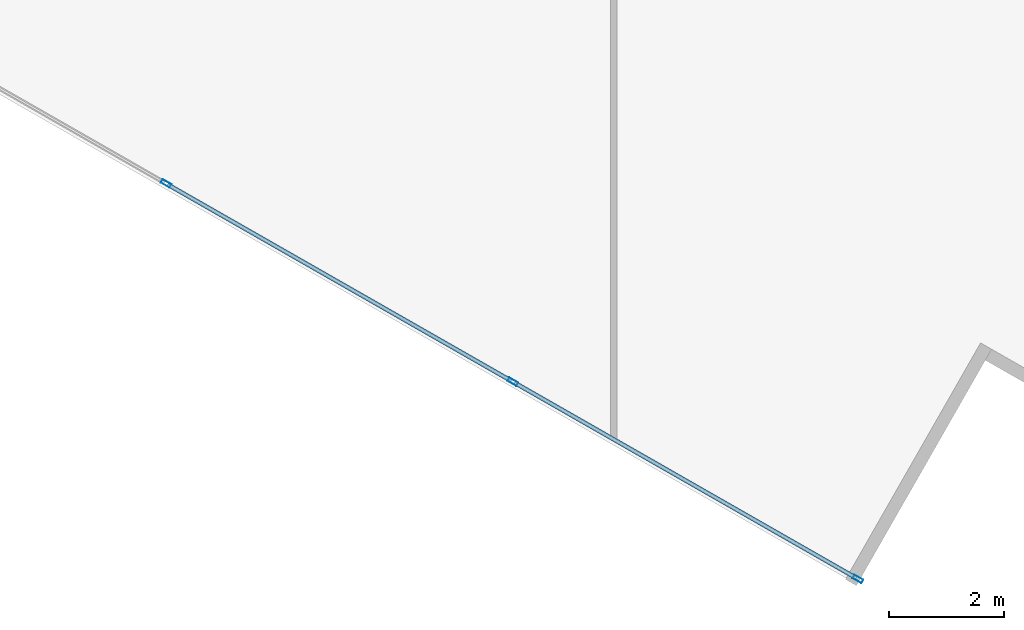
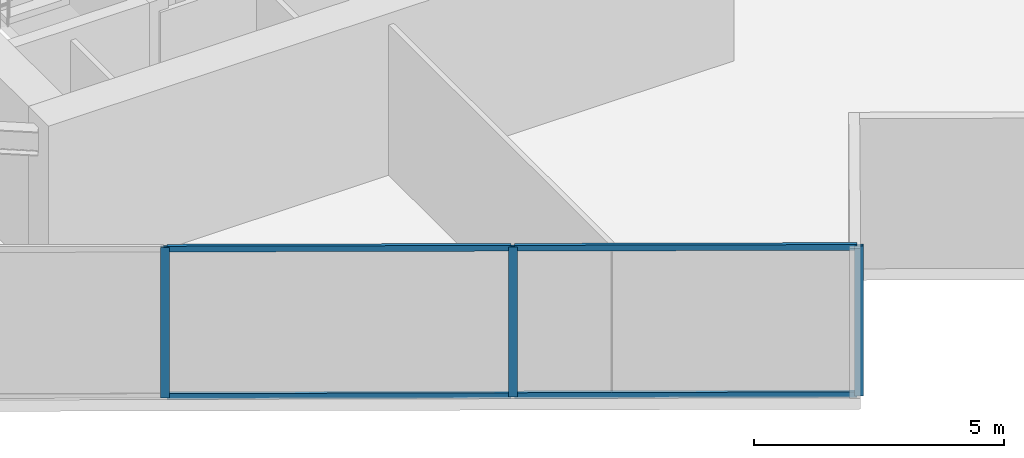
# One storey, part 3 of 24: 7 members, 1 element without a shape of its own.
"""IFC4 building model written with IfcOpenShell, lengths in metres."""

from ifc_helpers import new_model, si_unit, direction, frame, origin, origin_2d, place, context, subcontext, project, spatial, hollow_rectangle, extrude, source, transform, mapped, material, material_profile, profile_set, type_object, type_shapes, element, aggregate, save


model = new_model("IFC4")

# Units and contexts
model_context = context("Model", 3, precision=1e-05, world=origin(), true_north=direction((0.0, 1.0)))
body_context = subcontext(model_context, "Body", "Model", "MODEL_VIEW")
ifc_project = project(units=[si_unit("LENGTHUNIT", "METRE"), si_unit("AREAUNIT", "SQUARE_METRE"), si_unit("VOLUMEUNIT", "CUBIC_METRE"), si_unit("PLANEANGLEUNIT", "RADIAN"), si_unit("MASSUNIT", "GRAM", prefix="KILO")], contexts=[model_context])

# Site, building, storey
site_placement = place(None, origin())
site = spatial("IfcSite", under=ifc_project, at=site_placement, CompositionType="ELEMENT")
building_placement = place(site_placement, origin())
building = spatial("IfcBuilding", under=site, at=building_placement, Name="Krantzveldt Concourse Tower", CompositionType="ELEMENT")
storey_placement = place(building_placement, frame((0.0, 0.0, 169.89990234375)))
storey = spatial("IfcBuildingStorey", under=building, at=storey_placement, Name="L41", CompositionType="ELEMENT", Elevation=169.89990234375)

# Curtain wall, members
ifc_material = material(Name="Anodised aluminium 6063-T6", Category="aluminium")
curtain_wall_type = type_object("IfcCurtainWallType", Name="CW3", PredefinedType="USERDEFINED", material=ifc_material)
curtain_wall_placement = place(storey_placement, origin())
curtain_wall = element("IfcCurtainWall", 1, at=curtain_wall_placement, inside=storey, type_object=curtain_wall_type, Name="CW-L41-F08", ObjectType="UNITISED CURTAIN WALL", PredefinedType="USERDEFINED")
ifc_material_profile_1 = material_profile(ifc_material, hollow_rectangle(XDim=0.070068359375, YDim=0.179931640625, WallThickness=0.0048828125, at=origin_2d()), Name="Anodised aluminium 6063-T6", Category="aluminium")
ifc_profile_set_1 = profile_set([ifc_material_profile_1], Name="Anodised aluminium 6063-T6 - ALU-MULL 180x70x5")
member_type_1 = type_object("IfcMemberType", Name="CW-MUL-180", PredefinedType="MULLION", material=ifc_profile_set_1)
shared_shape_1 = source(origin(), body_context, "Body", "SweptSolid", [
    extrude(hollow_rectangle(XDim=0.070068359375, YDim=0.179931640625, WallThickness=0.0048828125, at=origin_2d()), origin(), (0.0, 0.0, 1.0), 3.670166015625),
])
type_shapes(member_type_1, [shared_shape_1])
member_1_placement = place(storey_placement, frame((28.19873046875, 6.037841796875, 0.0), z_axis=(0.0, 0.0, 1.0), x_axis=(0.496216394392, 0.868198876949, 0.0)))
member_1 = element("IfcMember", 2, at=member_1_placement, type_object=member_type_1, Name="CW-Z34 mullion 4", PredefinedType="MULLION", context=body_context, shape_type="MappedRepresentation", body=[
    mapped(shared_shape_1, transform((0.0, 0.0, 0.0), x_axis=(1.0, 0.0, 0.0), y_axis=(0.0, 1.0, 0.0), z_axis=(0.0, 0.0, 1.0), scale=1.0)),
])
member_2_placement = place(storey_placement, frame((34.241455078125, 2.583984375, 0.0), z_axis=(0.0, 0.0, 1.0), x_axis=(0.496216394392, 0.868198876949, 0.0)))
member_2 = element("IfcMember", 3, at=member_2_placement, type_object=member_type_1, Name="CW-Z34 mullion 5", PredefinedType="MULLION", context=body_context, shape_type="MappedRepresentation", body=[
    mapped(shared_shape_1, transform((0.0, 0.0, 0.0), x_axis=(1.0, 0.0, 0.0), y_axis=(0.0, 1.0, 0.0), z_axis=(0.0, 0.0, 1.0), scale=1.0)),
])
member_3_placement = place(storey_placement, frame((40.25390625, -0.852294921875, 0.0), z_axis=(0.0, 0.0, 1.0), x_axis=(0.496216394392, 0.868198876949, 0.0)))
member_3 = element("IfcMember", 4, at=member_3_placement, type_object=member_type_1, Name="CW-Z34 mullion 6", PredefinedType="MULLION", context=body_context, shape_type="MappedRepresentation", body=[
    mapped(shared_shape_1, transform((0.0, 0.0, 0.0), x_axis=(1.0, 0.0, 0.0), y_axis=(0.0, 1.0, 0.0), z_axis=(0.0, 0.0, 1.0), scale=1.0)),
])
ifc_material_profile_2 = material_profile(ifc_material, hollow_rectangle(XDim=0.070068359375, YDim=0.139892578125, WallThickness=0.0048828125, at=origin_2d()), Name="Anodised aluminium 6063-T6", Category="aluminium")
ifc_profile_set_2 = profile_set([ifc_material_profile_2], Name="Anodised aluminium 6063-T6 - ALU-TRAN 140x70x5")
member_type_2 = type_object("IfcMemberType", Name="CW-TRN-150", PredefinedType="USERDEFINED", material=ifc_profile_set_2)
shared_shape_2 = source(origin(), body_context, "Body", "SweptSolid", [
    extrude(hollow_rectangle(XDim=0.070068359375, YDim=0.139892578125, WallThickness=0.0048828125, at=origin_2d()), origin(), (0.0, 0.0, 1.0), 6.85498046875),
])
member_4_placement = place(storey_placement, frame((34.27197265625, 2.566650390625, 0.03515625), z_axis=(0.868192728379, -0.496227152008, 0.0), x_axis=(0.496227152008, 0.868192728379, 0.0)))
member_4 = element("IfcMember", 5, at=member_4_placement, type_object=member_type_2, Name="CW-Z34 transom 5.1", ObjectType="TRANSOM", PredefinedType="USERDEFINED", context=body_context, shape_type="MappedRepresentation", body=[
    mapped(shared_shape_2, transform((0.0, 0.0, 0.0), x_axis=(1.0, 0.0, 0.0), y_axis=(0.0, 1.0, 0.0), z_axis=(0.0, 0.0, 1.0), scale=1.0)),
])
member_5_placement = place(storey_placement, frame((34.27197265625, 2.566650390625, 3.635009765625), z_axis=(0.868192728379, -0.496227152008, 0.0), x_axis=(0.496227152008, 0.868192728379, 0.0)))
member_5 = element("IfcMember", 6, at=member_5_placement, type_object=member_type_2, Name="CW-Z34 transom 5.2", ObjectType="TRANSOM", PredefinedType="USERDEFINED", context=body_context, shape_type="MappedRepresentation", body=[
    mapped(shared_shape_2, transform((0.0, 0.0, 0.0), x_axis=(1.0, 0.0, 0.0), y_axis=(0.0, 1.0, 0.0), z_axis=(0.0, 0.0, 1.0), scale=1.0)),
])
shared_shape_3 = source(origin(), body_context, "Body", "SweptSolid", [
    extrude(hollow_rectangle(XDim=0.070068359375, YDim=0.139892578125, WallThickness=0.0048828125, at=origin_2d()), origin(), (0.0, 0.0, 1.0), 6.889892578125),
])
type_shapes(member_type_2, [shared_shape_2, shared_shape_3])
member_6_placement = place(storey_placement, frame((28.229248046875, 6.020263671875, 0.03515625), z_axis=(0.868214793151, -0.496188545771, 0.0), x_axis=(0.496188545771, 0.868214793151, 0.0)))
member_6 = element("IfcMember", 7, at=member_6_placement, type_object=member_type_2, Name="CW-Z34 transom 4.1", ObjectType="TRANSOM", PredefinedType="USERDEFINED", context=body_context, shape_type="MappedRepresentation", body=[
    mapped(shared_shape_3, transform((0.0, 0.0, 0.0), x_axis=(1.0, 0.0, 0.0), y_axis=(0.0, 1.0, 0.0), z_axis=(0.0, 0.0, 1.0), scale=1.0)),
])
member_7_placement = place(storey_placement, frame((28.229248046875, 6.020263671875, 3.635009765625), z_axis=(0.868214793151, -0.496188545771, 0.0), x_axis=(0.496188545771, 0.868214793151, 0.0)))
member_7 = element("IfcMember", 8, at=member_7_placement, type_object=member_type_2, Name="CW-Z34 transom 4.2", ObjectType="TRANSOM", PredefinedType="USERDEFINED", context=body_context, shape_type="MappedRepresentation", body=[
    mapped(shared_shape_3, transform((0.0, 0.0, 0.0), x_axis=(1.0, 0.0, 0.0), y_axis=(0.0, 1.0, 0.0), z_axis=(0.0, 0.0, 1.0), scale=1.0)),
])
aggregate(curtain_wall, [member_1, member_2, member_3, member_6, member_7, member_4, member_5])

save(model, "model.ifc")
